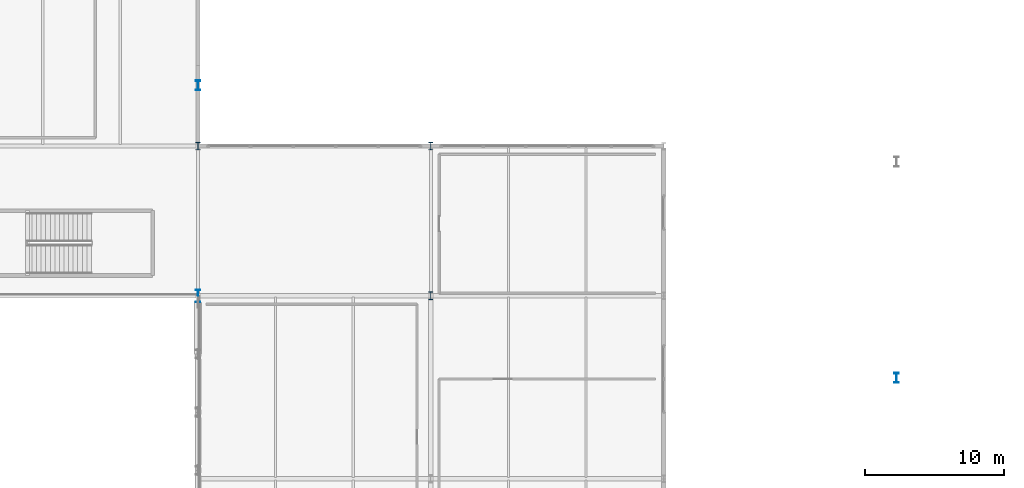
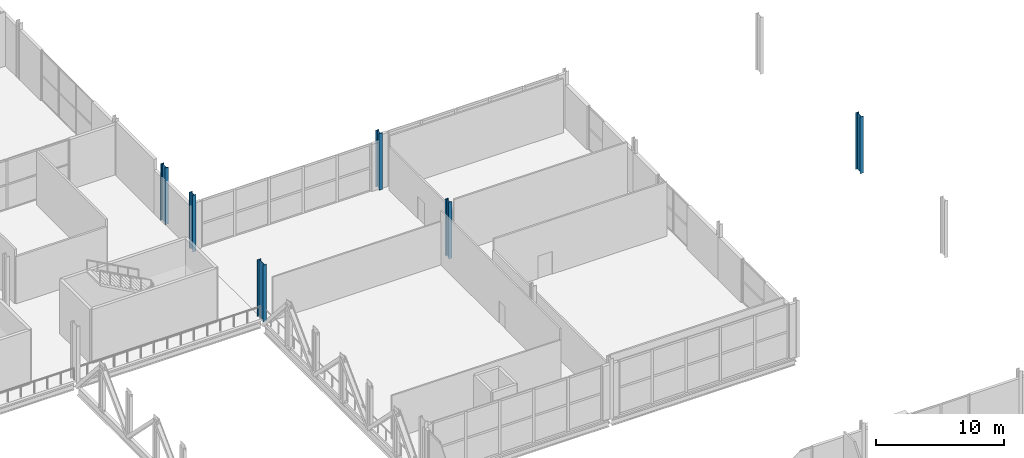
# One storey, part 13 of 84: 6 columns.
"""IFC4 building model written with IfcOpenShell, lengths in metres."""

from ifc_helpers import new_model, si_unit, direction, frame, origin, origin_2d, place, context, subcontext, project, spatial, i_section, extrude, material, material_profile, profile_set, type_object, element, save


model = new_model("IFC4")

# Units and contexts
model_context = context("Model", 3, precision=1e-05, world=origin(), true_north=direction((0.0, 1.0)))
body_context = subcontext(model_context, "Body", "Model", "MODEL_VIEW")
ifc_project = project(units=[si_unit("LENGTHUNIT", "METRE"), si_unit("AREAUNIT", "SQUARE_METRE"), si_unit("VOLUMEUNIT", "CUBIC_METRE"), si_unit("PLANEANGLEUNIT", "RADIAN"), si_unit("MASSUNIT", "GRAM", prefix="KILO")], contexts=[model_context])

# Site, building, storey
site_placement = place(None, origin())
site = spatial("IfcSite", under=ifc_project, at=site_placement, CompositionType="ELEMENT")
building_placement = place(site_placement, origin())
building = spatial("IfcBuilding", under=site, at=building_placement, Name="Kimbaza Rail Terminus", CompositionType="ELEMENT")
storey_placement = place(building_placement, frame((0.0, 0.0, 5.39990234375)))
storey = spatial("IfcBuildingStorey", under=building, at=storey_placement, Name="L01", CompositionType="ELEMENT", Elevation=5.39990234375)

# Columns
ifc_material_1 = material(Name="Steel S355", Category="steel")
ifc_material_profile_1 = material_profile(ifc_material_1, i_section(OverallWidth=0.300048828125, OverallDepth=0.550048828125, WebThickness=0.014892578125, FlangeThickness=0.029052734375, FilletRadius=0.027099609375, at=origin_2d()), Name="HEB 550")
ifc_profile_set_1 = profile_set([ifc_material_profile_1], Name="Steel S355")
column_type_1 = type_object("IfcColumnType", Name="STR-COL-HEB550", PredefinedType="COLUMN", material=ifc_profile_set_1)
for number, where, z_axis, x_axis, name in (
    (1, (156.0, 91.0, 0.0), (0.0, 0.0, 1.0), (1.0, 0.0, 0.0), "North Transfer Pier L01 (6,1)"),
    (2, (172.800048828125, 80.199951171875, 0.0), (0.0, 0.0, 1.0), (1.0, 0.0, 0.0), "North Transfer Pier L01 (7,0)"),
    (3, (172.800048828125, 91.0, 0.0), (0.0, 0.0, 1.0), (1.0, 0.0, 0.0), "North Transfer Pier L01 (7,1)"),
):
    element("IfcColumn", number, at=place(storey_placement, frame(where, z_axis=z_axis, x_axis=x_axis)), inside=storey, type_object=column_type_1, Name=name, PredefinedType="COLUMN", context=body_context, shape_type="SweptSolid", body=[
        extrude(i_section(OverallWidth=0.300048828125, OverallDepth=0.550048828125, WebThickness=0.014892578125, FlangeThickness=0.029052734375, FilletRadius=0.027099609375, at=origin_2d()), origin(), (0.0, 0.0, 1.0), 5.400146484375),
    ])
ifc_material_2 = material(Name="Steel S355", Category="steel")
ifc_material_profile_2 = material_profile(ifc_material_2, i_section(OverallWidth=0.303955078125, OverallDepth=0.716064453125, WebThickness=0.02099609375, FlangeThickness=0.0400390625, FilletRadius=0.027099609375, at=origin_2d()), Name="HEM 700")
ifc_profile_set_2 = profile_set([ifc_material_profile_2], Name="Steel S355")
column_type_2 = type_object("IfcColumnType", Name="STR-COL-HEM700", PredefinedType="COLUMN", material=ifc_profile_set_2)
for number, where, z_axis, x_axis, name in (
    (4, (206.39990234375, 74.27587890625, 0.0), (0.0, 0.0, 1.0), (1.0, 0.0, 0.0), "Viaduct Pier Column L01 VP-12"),
    (5, (156.0, 95.375732421875, 0.0), (0.0, 0.0, 1.0), (1.0, 0.0, 0.0), "North Vault Springing Pier L01 VP-09"),
):
    element("IfcColumn", number, at=place(storey_placement, frame(where, z_axis=z_axis, x_axis=x_axis)), inside=storey, type_object=column_type_2, Name=name, PredefinedType="COLUMN", context=body_context, shape_type="SweptSolid", body=[
        extrude(i_section(OverallWidth=0.303955078125, OverallDepth=0.716064453125, WebThickness=0.02099609375, FlangeThickness=0.0400390625, FilletRadius=0.027099609375, at=origin_2d()), origin(), (0.0, 0.0, 1.0), 5.400146484375),
    ])
ifc_material_3 = material(Name="Steel S355", Category="steel")
ifc_material_profile_3 = material_profile(ifc_material_3, i_section(OverallWidth=0.302001953125, OverallDepth=0.909912109375, WebThickness=0.02099609375, FlangeThickness=0.0400390625, FilletRadius=0.030029296875, at=origin_2d()), Name="HEM 900")
ifc_profile_set_3 = profile_set([ifc_material_profile_3], Name="Steel S355")
column_type_3 = type_object("IfcColumnType", Name="STR-COL-HEM900", PredefinedType="COLUMN", material=ifc_profile_set_3)
column_placement = place(storey_placement, frame((156.0, 80.199951171875, 0.0), z_axis=(0.0, 0.0, 1.0), x_axis=(1.0, 0.0, 0.0)))
element("IfcColumn", 6, at=column_placement, inside=storey, type_object=column_type_3, Name="North Transfer Pier L01 (6,0)", PredefinedType="COLUMN", context=body_context, shape_type="SweptSolid", body=[
    extrude(i_section(OverallWidth=0.302001953125, OverallDepth=0.909912109375, WebThickness=0.02099609375, FlangeThickness=0.0400390625, FilletRadius=0.030029296875, at=origin_2d()), origin(), (0.0, 0.0, 1.0), 5.400146484375),
])

save(model, "model.ifc")
